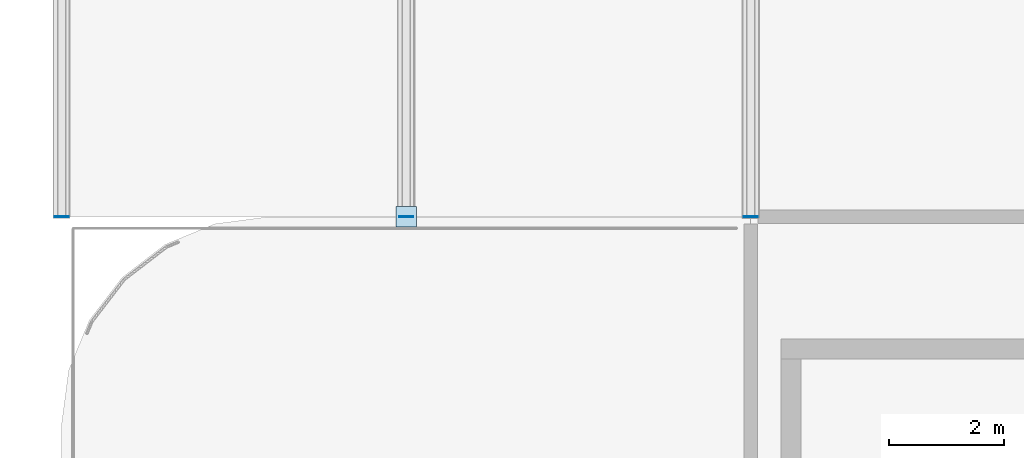
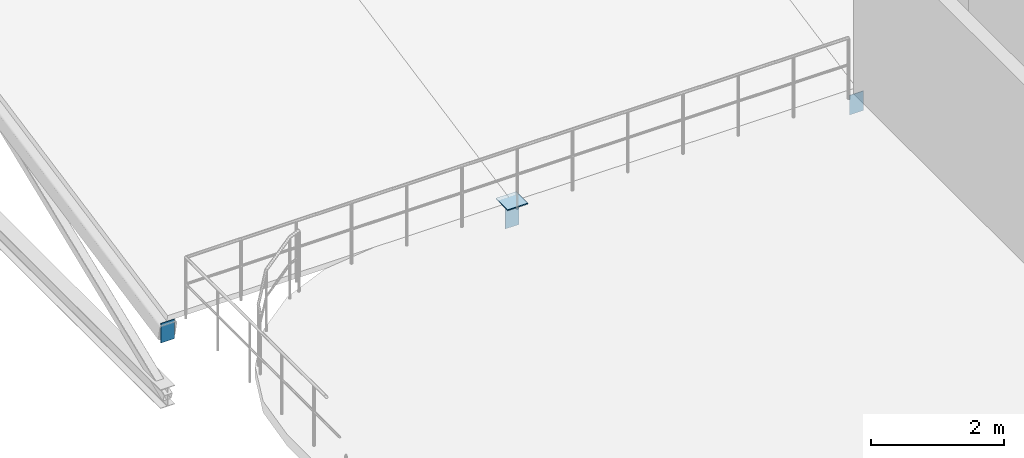
# One storey, part 52 of 83: 4 plates.
"""IFC4 building model written with IfcOpenShell, lengths in metres."""

from ifc_helpers import new_model, si_unit, direction, frame, origin, origin_2d, place, context, subcontext, project, spatial, rectangle, extrude, material, layer, layer_set, type_object, element, save


model = new_model("IFC4")

# Units and contexts
model_context = context("Model", 3, precision=1e-05, world=origin(), true_north=direction((0.0, 1.0)))
body_context = subcontext(model_context, "Body", "Model", "MODEL_VIEW")
ifc_project = project(units=[si_unit("LENGTHUNIT", "METRE"), si_unit("AREAUNIT", "SQUARE_METRE"), si_unit("VOLUMEUNIT", "CUBIC_METRE"), si_unit("PLANEANGLEUNIT", "RADIAN"), si_unit("MASSUNIT", "GRAM", prefix="KILO")], contexts=[model_context])

# Site, building, storey
site_placement = place(None, origin())
site = spatial("IfcSite", under=ifc_project, at=site_placement, CompositionType="ELEMENT")
building_placement = place(site_placement, origin())
building = spatial("IfcBuilding", under=site, at=building_placement, Name="Varnakota Square Police Headquarters", CompositionType="ELEMENT")
storey_placement = place(building_placement, frame((0.0, 0.0, 18.0)))
storey = spatial("IfcBuildingStorey", under=building, at=storey_placement, Name="L04", CompositionType="ELEMENT", Elevation=18.0)

# Plates
ifc_material = material(Name="Steel IS 2062 Grade 350", Category="steel")
ifc_layer_1 = layer(ifc_material, 0.02001953125, Name="Steel IS 2062 Grade 350")
ifc_layer_set_1 = layer_set([ifc_layer_1], Name="Steel IS 2062 Grade 350")
plate_type_1 = type_object("IfcPlateType", Name="PL-CAP-20", PredefinedType="SHEET", material=ifc_layer_set_1)
plate_placement = place(storey_placement, frame((12.0, 75.0, -0.001953125), z_axis=(0.0, 0.0, 1.0), x_axis=(1.0, 0.0, 0.0)))
element("IfcPlate", 1, at=plate_placement, inside=storey, type_object=plate_type_1, Name="Hollow column top cap plate CP-COL-X0120-Y0750", PredefinedType="SHEET", context=body_context, shape_type="SweptSolid", body=[
    extrude(rectangle(XDim=0.35400390625, YDim=0.35400390625, at=origin_2d()), origin(), (0.0, 0.0, 1.0), 0.02001953125),
])
ifc_layer_2 = layer(ifc_material, 0.011962890625, Name="Steel IS 2062 Grade 350")
ifc_layer_set_2 = layer_set([ifc_layer_2], Name="Steel IS 2062 Grade 350")
plate_type_2 = type_object("IfcPlateType", Name="PL-END-12", PredefinedType="SHEET", material=ifc_layer_set_2)
for number, where, z_axis, x_axis, name in (
    (2, (6.0, 75.0, -0.4599609375), (0.0, 0.0, 1.0), (1.0, 0.0, 0.0), "Hollow chord end-cap plate EP-001"),
    (3, (12.0, 75.0, -0.4599609375), (0.0, 0.0, 1.0), (1.0, 0.0, 0.0), "Hollow chord end-cap plate EP-003"),
    (4, (18.0, 75.0, -0.4599609375), (0.0, 0.0, 1.0), (1.0, 0.0, 0.0), "Hollow chord end-cap plate EP-005"),
):
    element("IfcPlate", number, at=place(storey_placement, frame(where, z_axis=z_axis, x_axis=x_axis)), inside=storey, type_object=plate_type_2, Name=name, PredefinedType="SHEET", context=body_context, shape_type="SweptSolid", body=[
        extrude(rectangle(XDim=0.239990234375, YDim=0.011962890625, at=origin_2d()), origin(), (0.0, 0.0, 1.0), 0.360107421875),
    ])

save(model, "model.ifc")
